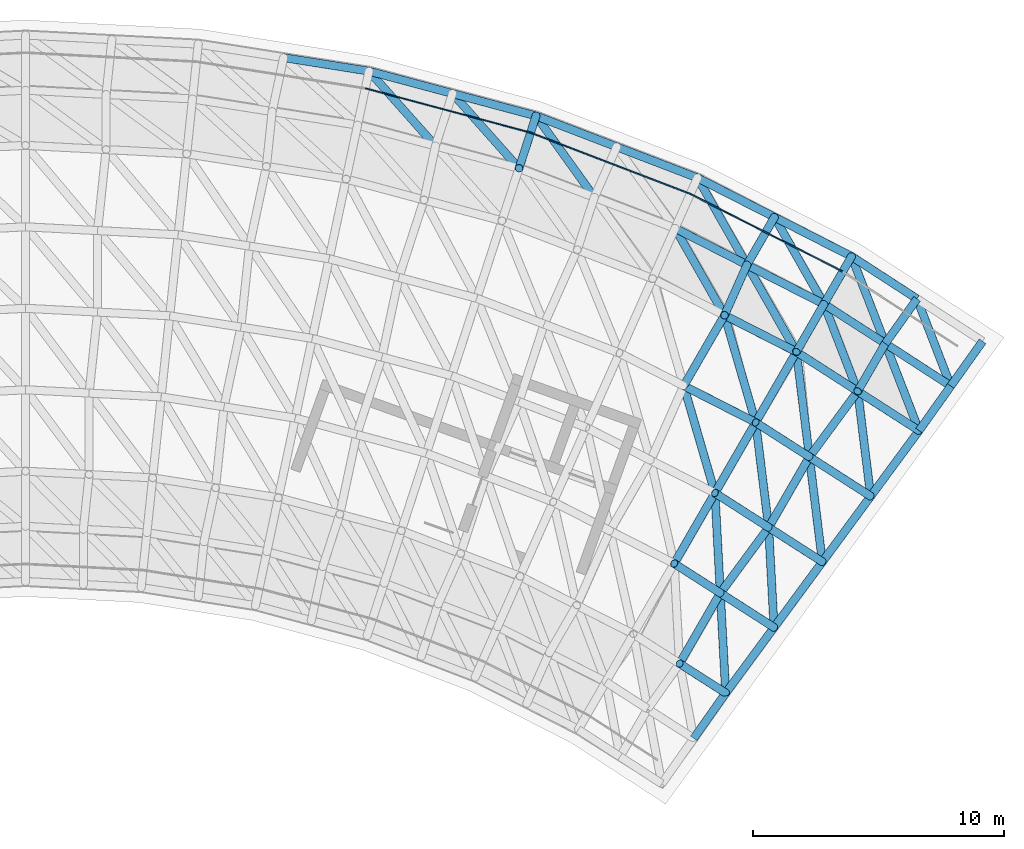
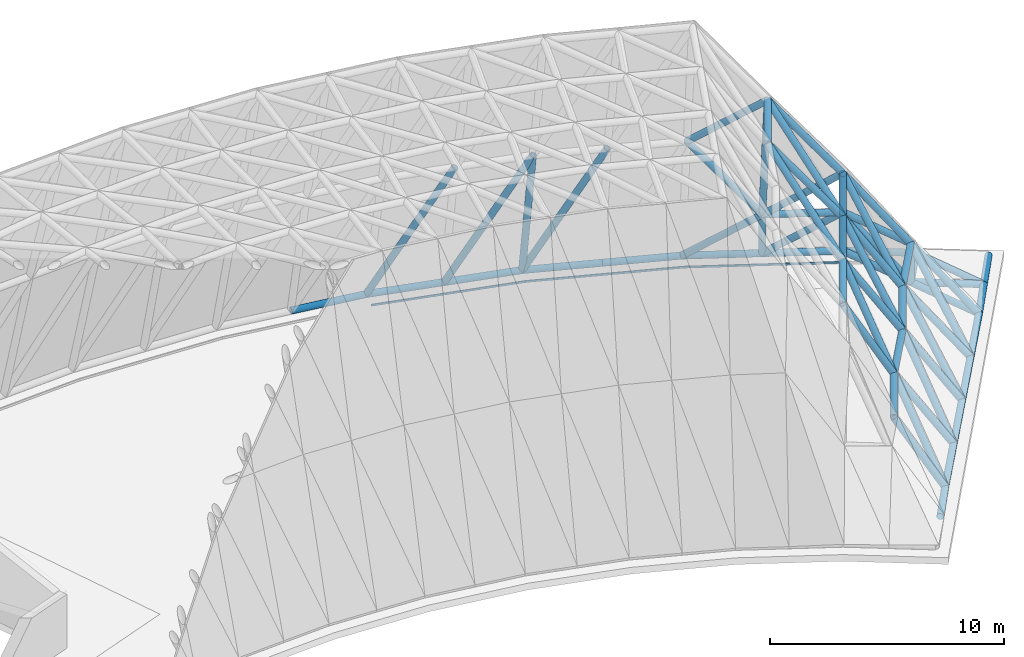
# One storey, part 10 of 20: 68 members.
"""IFC4 building model written with IfcOpenShell, lengths in metres."""

from ifc_helpers import new_model, si_unit, direction, frame, origin, origin_2d, place, context, subcontext, project, spatial, rectangle, hollow_circle, extrude, material, material_profile, profile_set, type_object, element, save


model = new_model("IFC4")

# Units and contexts
model_context = context("Model", 3, precision=1e-05, world=origin(), true_north=direction((0.0, 1.0)))
body_context = subcontext(model_context, "Body", "Model", "MODEL_VIEW")
ifc_project = project(units=[si_unit("LENGTHUNIT", "METRE"), si_unit("AREAUNIT", "SQUARE_METRE"), si_unit("VOLUMEUNIT", "CUBIC_METRE"), si_unit("PLANEANGLEUNIT", "RADIAN"), si_unit("MASSUNIT", "GRAM", prefix="KILO")], contexts=[model_context])

# Site, building, storey
site_placement = place(None, origin())
site = spatial("IfcSite", under=ifc_project, at=site_placement, CompositionType="ELEMENT")
building_placement = place(site_placement, origin())
building = spatial("IfcBuilding", under=site, at=building_placement, Name="Stone Belt Terrace Tower", CompositionType="ELEMENT")
storey_placement = place(building_placement, frame((0.0, 0.0, 337.39990234375)))
storey = spatial("IfcBuildingStorey", under=building, at=storey_placement, Name="RF", CompositionType="ELEMENT", Elevation=337.39990234375)

# Members
ifc_material_1 = material(Name="Structural steel C345", Category="steel")
ifc_material_profile_1 = material_profile(ifc_material_1, hollow_circle(Radius=0.16259765625, WallThickness=0.011962890625, at=origin_2d()), Name="Structural steel C345 CHS 325x12")
ifc_profile_set_1 = profile_set([ifc_material_profile_1], Name="Structural steel C345")
member_type_1 = type_object("IfcMemberType", Name="Crown frame tube CHS 325 x 12", PredefinedType="RAFTER", material=ifc_profile_set_1)
member_1_placement = place(storey_placement, frame((13.701171875, 64.459228515625, 0.16259765625), z_axis=(0.312086060245, -0.351280000598, 0.882725694755), x_axis=(0.747581362269, 0.664170239313, 0.0)))
element("IfcMember", 1, at=member_1_placement, inside=storey, type_object=member_type_1, Name="CROWN FRAME rafter 384", PredefinedType="RAFTER", context=body_context, shape_type="SweptSolid", body=[
    extrude(hollow_circle(Radius=0.16259765625, WallThickness=0.011962890625, at=origin_2d()), origin(), (0.0, 0.0, 1.0), 8.496337890625),
])
member_2_placement = place(storey_placement, frame((17.032470703125, 63.56640625, 0.16259765625), z_axis=(0.312111995776, -0.351276850337, 0.882717778517), x_axis=(0.747550999525, 0.664204413648, 0.0)))
element("IfcMember", 2, at=member_2_placement, inside=storey, type_object=member_type_1, Name="CROWN FRAME rafter 428", PredefinedType="RAFTER", context=body_context, shape_type="SweptSolid", body=[
    extrude(hollow_circle(Radius=0.16259765625, WallThickness=0.011962890625, at=origin_2d()), origin(), (0.0, 0.0, 1.0), 8.49658203125),
])
member_3_placement = place(storey_placement, frame((20.364013671875, 62.673828125, 0.16259765625), z_axis=(-0.086961927799, -0.267664065845, 0.959579892958), x_axis=(0.951064242649, -0.30899321409, 0.0)))
element("IfcMember", 3, at=member_3_placement, inside=storey, type_object=member_type_1, Name="CROWN FRAME rafter 432", PredefinedType="RAFTER", context=body_context, shape_type="SweptSolid", body=[
    extrude(hollow_circle(Radius=0.16259765625, WallThickness=0.011962890625, at=origin_2d()), origin(), (0.0, 0.0, 1.0), 7.81591796875),
])
member_4_placement = place(storey_placement, frame((20.364013671875, 62.673828125, 0.16259765625), z_axis=(0.273668124866, -0.381968750928, 0.882726249042), x_axis=(0.812893849535, 0.582411872637, 0.0)))
element("IfcMember", 4, at=member_4_placement, inside=storey, type_object=member_type_1, Name="CROWN FRAME rafter 434", PredefinedType="RAFTER", context=body_context, shape_type="SweptSolid", body=[
    extrude(hollow_circle(Radius=0.16259765625, WallThickness=0.011962890625, at=origin_2d()), origin(), (0.0, 0.0, 1.0), 8.496337890625),
])
member_5_placement = place(storey_placement, frame((26.8037109375, 60.201904296875, 0.16259765625), z_axis=(0.368928687111, -0.648934696359, 0.665413693643), x_axis=(0.86933236407, 0.494227923918, 0.0)))
element("IfcMember", 5, at=member_5_placement, inside=storey, type_object=member_type_1, Name="CROWN FRAME rafter 484", PredefinedType="RAFTER", context=body_context, shape_type="SweptSolid", body=[
    extrude(hollow_circle(Radius=0.16259765625, WallThickness=0.011962890625, at=origin_2d()), origin(), (0.0, 0.0, 1.0), 5.348388671875),
])
member_6_placement = place(storey_placement, frame((25.908935546875, 58.1923828125, 7.66259765625), z_axis=(0.563608741134, -0.287154023639, -0.774524211129), x_axis=(0.453966686315, 0.891018657333, 0.0)))
element("IfcMember", 6, at=member_6_placement, inside=storey, type_object=member_type_1, Name="CROWN FRAME rafter 486", PredefinedType="RAFTER", context=body_context, shape_type="SweptSolid", body=[
    extrude(hollow_circle(Radius=0.16259765625, WallThickness=0.011962890625, at=origin_2d()), origin(), (0.0, 0.0, 1.0), 5.08837890625),
])
member_7_placement = place(storey_placement, frame((25.908935546875, 58.1923828125, 7.66259765625), z_axis=(0.368968121206, -0.648923767297, 0.665402487049), x_axis=(0.869306089916, 0.494274136522, 0.0)))
element("IfcMember", 7, at=member_7_placement, inside=storey, type_object=member_type_1, Name="CROWN FRAME rafter 487", PredefinedType="RAFTER", context=body_context, shape_type="SweptSolid", body=[
    extrude(hollow_circle(Radius=0.16259765625, WallThickness=0.011962890625, at=origin_2d()), origin(), (0.0, 0.0, 1.0), 5.348388671875),
])
member_8_placement = place(storey_placement, frame((29.876708984375, 58.635986328125, 0.16259765625), z_axis=(-0.262891157464, -0.455288970152, 0.85064692616), x_axis=(0.866000736692, -0.500042722224, 0.0)))
element("IfcMember", 8, at=member_8_placement, inside=storey, type_object=member_type_1, Name="CROWN FRAME rafter 526", PredefinedType="RAFTER", context=body_context, shape_type="SweptSolid", body=[
    extrude(hollow_circle(Radius=0.16259765625, WallThickness=0.011962890625, at=origin_2d()), origin(), (0.0, 0.0, 1.0), 4.18359375),
])
for number, where, z_axis, x_axis, name in (
    (9, (29.876708984375, 58.635986328125, 0.16259765625), (0.368928687111, -0.648934696359, 0.665413693643), (0.86933236407, 0.494227923918, 0.0), "CROWN FRAME rafter 528"),
    (10, (28.77685546875, 56.731201171875, 3.721435546875), (0.368968121206, -0.648923767297, 0.665402487049), (0.869306089916, 0.494274136522, 0.0), "CROWN FRAME rafter 530"),
):
    element("IfcMember", number, at=place(storey_placement, frame(where, z_axis=z_axis, x_axis=x_axis)), inside=storey, type_object=member_type_1, Name=name, PredefinedType="RAFTER", context=body_context, shape_type="SweptSolid", body=[
        extrude(hollow_circle(Radius=0.16259765625, WallThickness=0.011962890625, at=origin_2d()), origin(), (0.0, 0.0, 1.0), 5.348388671875),
    ])
member_9_placement = place(storey_placement, frame((28.77685546875, 56.731201171875, 3.721435546875), z_axis=(-0.114450125757, -0.257106709908, 0.959581840405), x_axis=(0.913573388708, -0.406673903077, 0.0)))
element("IfcMember", 11, at=member_9_placement, inside=storey, type_object=member_type_1, Name="CROWN FRAME rafter 531", PredefinedType="RAFTER", context=body_context, shape_type="SweptSolid", body=[
    extrude(hollow_circle(Radius=0.16259765625, WallThickness=0.011962890625, at=origin_2d()), origin(), (0.0, 0.0, 1.0), 7.81591796875),
])
member_10_placement = place(storey_placement, frame((32.94970703125, 57.0703125, 0.16259765625), z_axis=(-0.26288417265, -0.455335227345, 0.850624325133), x_axis=(0.866028486751, -0.499994660107, 0.0)))
element("IfcMember", 12, at=member_10_placement, inside=storey, type_object=member_type_1, Name="CROWN FRAME rafter 532", PredefinedType="RAFTER", context=body_context, shape_type="SweptSolid", body=[
    extrude(hollow_circle(Radius=0.16259765625, WallThickness=0.011962890625, at=origin_2d()), origin(), (0.0, 0.0, 1.0), 4.183837890625),
])
member_11_placement = place(storey_placement, frame((31.849853515625, 55.165283203125, 3.721435546875), z_axis=(-0.262836833842, -0.455295954181, 0.850659974891), x_axis=(0.866048801325, -0.49995947208, 0.0)))
element("IfcMember", 13, at=member_11_placement, inside=storey, type_object=member_type_1, Name="CROWN FRAME rafter 535", PredefinedType="RAFTER", context=body_context, shape_type="SweptSolid", body=[
    extrude(hollow_circle(Radius=0.16259765625, WallThickness=0.011962890625, at=origin_2d()), origin(), (0.0, 0.0, 1.0), 4.18359375),
])
member_12_placement = place(storey_placement, frame((31.849853515625, 55.165283203125, 3.721435546875), z_axis=(0.532275745532, -0.341797751148, -0.774504246618), x_axis=(0.540333004351, 0.841451272748, 0.0)))
element("IfcMember", 14, at=member_12_placement, inside=storey, type_object=member_type_1, Name="CROWN FRAME rafter 536", PredefinedType="RAFTER", context=body_context, shape_type="SweptSolid", body=[
    extrude(hollow_circle(Radius=0.16259765625, WallThickness=0.011962890625, at=origin_2d()), origin(), (0.0, 0.0, 1.0), 4.594970703125),
])
member_13_placement = place(storey_placement, frame((30.750244140625, 53.260498046875, 7.2802734375), z_axis=(-0.563608741134, 0.287154023639, 0.774524211129), x_axis=(-0.453966686315, -0.891018657333, 0.0)))
element("IfcMember", 15, at=member_13_placement, inside=storey, type_object=member_type_1, Name="CROWN FRAME rafter 538", PredefinedType="RAFTER", context=body_context, shape_type="SweptSolid", body=[
    extrude(hollow_circle(Radius=0.16259765625, WallThickness=0.011962890625, at=origin_2d()), origin(), (0.0, 0.0, 1.0), 5.08837890625),
])
member_14_placement = place(storey_placement, frame((30.750244140625, 53.260498046875, 7.2802734375), z_axis=(0.532227998514, -0.341854341863, -0.774512082893), x_axis=(0.54043066328, 0.841388553634, 0.0)))
element("IfcMember", 16, at=member_14_placement, inside=storey, type_object=member_type_1, Name="CROWN FRAME rafter 540", PredefinedType="RAFTER", context=body_context, shape_type="SweptSolid", body=[
    extrude(hollow_circle(Radius=0.16259765625, WallThickness=0.011962890625, at=origin_2d()), origin(), (0.0, 0.0, 1.0), 4.594970703125),
])
member_15_placement = place(storey_placement, frame((30.750244140625, 53.260498046875, 7.2802734375), z_axis=(0.09376412964, -0.758649111184, -0.644716847999), x_axis=(0.992448720487, 0.122660251118, 0.0)))
element("IfcMember", 17, at=member_15_placement, inside=storey, type_object=member_type_1, Name="CROWN FRAME rafter 541", PredefinedType="RAFTER", context=body_context, shape_type="SweptSolid", body=[
    extrude(hollow_circle(Radius=0.16259765625, WallThickness=0.011962890625, at=origin_2d()), origin(), (0.0, 0.0, 1.0), 5.52001953125),
])
member_16_placement = place(storey_placement, frame((27.88232421875, 54.7216796875, 11.221435546875), z_axis=(0.208984296612, -0.719045576928, -0.662796365463), x_axis=(0.96026425375, 0.279092391457, 0.0)))
element("IfcMember", 18, at=member_16_placement, inside=storey, type_object=member_type_1, Name="CROWN FRAME rafter 543", PredefinedType="RAFTER", context=body_context, shape_type="SweptSolid", body=[
    extrude(hollow_circle(Radius=0.16259765625, WallThickness=0.011962890625, at=origin_2d()), origin(), (0.0, 0.0, 1.0), 5.9462890625),
])
member_17_placement = place(storey_placement, frame((26.257080078125, 51.9072265625, 11.221435546875), z_axis=(0.563608741134, -0.287154023639, -0.774524211129), x_axis=(0.453966686315, 0.891018657333, 0.0)))
element("IfcMember", 19, at=member_17_placement, inside=storey, type_object=member_type_1, Name="CROWN FRAME rafter 544", PredefinedType="RAFTER", context=body_context, shape_type="SweptSolid", body=[
    extrude(hollow_circle(Radius=0.16259765625, WallThickness=0.011962890625, at=origin_2d()), origin(), (0.0, 0.0, 1.0), 5.08837890625),
])
member_18_placement = place(storey_placement, frame((26.257080078125, 51.9072265625, 11.221435546875), z_axis=(0.209017390065, -0.719059235827, -0.662771111337), x_axis=(0.960253829777, 0.27912825439, 0.0)))
element("IfcMember", 20, at=member_18_placement, inside=storey, type_object=member_type_1, Name="CROWN FRAME rafter 545", PredefinedType="RAFTER", context=body_context, shape_type="SweptSolid", body=[
    extrude(hollow_circle(Radius=0.16259765625, WallThickness=0.011962890625, at=origin_2d()), origin(), (0.0, 0.0, 1.0), 5.946533203125),
])
member_19_placement = place(storey_placement, frame((29.125, 50.446044921875, 7.2802734375), z_axis=(0.489758296584, -0.313876087306, -0.813399417718), x_axis=(0.539578947785, 0.841935008838, 0.0)))
element("IfcMember", 21, at=member_19_placement, inside=storey, type_object=member_type_1, Name="CROWN FRAME rafter 548", PredefinedType="RAFTER", context=body_context, shape_type="SweptSolid", body=[
    extrude(hollow_circle(Radius=0.16259765625, WallThickness=0.011962890625, at=origin_2d()), origin(), (0.0, 0.0, 1.0), 4.375244140625),
])
member_20_placement = place(storey_placement, frame((29.125, 50.446044921875, 7.2802734375), z_axis=(0.093807968887, -0.758645964317, -0.644714173722), x_axis=(0.99244167554, 0.122717238607, 0.0)))
element("IfcMember", 22, at=member_20_placement, inside=storey, type_object=member_type_1, Name="CROWN FRAME rafter 549", PredefinedType="RAFTER", context=body_context, shape_type="SweptSolid", body=[
    extrude(hollow_circle(Radius=0.16259765625, WallThickness=0.011962890625, at=origin_2d()), origin(), (0.0, 0.0, 1.0), 5.52001953125),
])
member_21_placement = place(storey_placement, frame((27.5, 47.63134765625, 7.2802734375), z_axis=(0.489766873844, -0.313825783126, -0.813413662985), x_axis=(0.539510945529, 0.841978586221, 0.0)))
element("IfcMember", 23, at=member_21_placement, inside=storey, type_object=member_type_1, Name="CROWN FRAME rafter 552", PredefinedType="RAFTER", context=body_context, shape_type="SweptSolid", body=[
    extrude(hollow_circle(Radius=0.16259765625, WallThickness=0.011962890625, at=origin_2d()), origin(), (0.0, 0.0, 1.0), 4.375244140625),
])
member_22_placement = place(storey_placement, frame((27.5, 47.63134765625, 7.2802734375), z_axis=(0.040104475645, -0.74569687137, -0.665077294051), x_axis=(0.99855692078, 0.053703593574, 0.0)))
element("IfcMember", 24, at=member_22_placement, inside=storey, type_object=member_type_1, Name="CROWN FRAME rafter 553", PredefinedType="RAFTER", context=body_context, shape_type="SweptSolid", body=[
    extrude(hollow_circle(Radius=0.16259765625, WallThickness=0.011962890625, at=origin_2d()), origin(), (0.0, 0.0, 1.0), 5.35107421875),
])
member_23_placement = place(storey_placement, frame((25.875, 44.81689453125, 7.2802734375), z_axis=(0.440606352018, -0.281613827647, -0.852384710468), x_axis=(0.538545883114, 0.842596185478, 0.0)))
element("IfcMember", 25, at=member_23_placement, inside=storey, type_object=member_type_1, Name="CROWN FRAME rafter 560", PredefinedType="RAFTER", context=body_context, shape_type="SweptSolid", body=[
    extrude(hollow_circle(Radius=0.16259765625, WallThickness=0.011962890625, at=origin_2d()), origin(), (0.0, 0.0, 1.0), 4.175048828125),
])
member_24_placement = place(storey_placement, frame((34.295654296875, 53.5947265625, 0.16259765625), z_axis=(-0.26288417265, -0.455335227345, 0.850624325133), x_axis=(0.866028486751, -0.499994660107, 0.0)))
element("IfcMember", 26, at=member_24_placement, inside=storey, type_object=member_type_1, Name="CROWN FRAME rafter 581", PredefinedType="RAFTER", context=body_context, shape_type="SweptSolid", body=[
    extrude(hollow_circle(Radius=0.16259765625, WallThickness=0.011962890625, at=origin_2d()), origin(), (0.0, 0.0, 1.0), 4.183837890625),
])
member_25_placement = place(storey_placement, frame((35.6416015625, 50.119140625, 0.16259765625), z_axis=(-0.532275745532, 0.341797751148, 0.774504246618), x_axis=(-0.540333004351, -0.841451272748, 0.0)))
element("IfcMember", 27, at=member_25_placement, inside=storey, type_object=member_type_1, Name="CROWN FRAME rafter 584", PredefinedType="RAFTER", context=body_context, shape_type="SweptSolid", body=[
    extrude(hollow_circle(Radius=0.16259765625, WallThickness=0.011962890625, at=origin_2d()), origin(), (0.0, 0.0, 1.0), 4.594970703125),
])
member_26_placement = place(storey_placement, frame((33.19580078125, 51.689697265625, 3.721435546875), z_axis=(0.093807968887, -0.758645964317, -0.644714173722), x_axis=(0.99244167554, 0.122717238607, 0.0)))
element("IfcMember", 28, at=member_26_placement, inside=storey, type_object=member_type_1, Name="CROWN FRAME rafter 587", PredefinedType="RAFTER", context=body_context, shape_type="SweptSolid", body=[
    extrude(hollow_circle(Radius=0.16259765625, WallThickness=0.011962890625, at=origin_2d()), origin(), (0.0, 0.0, 1.0), 5.52001953125),
])
member_27_placement = place(storey_placement, frame((31.267822265625, 49.07275390625, 3.721435546875), z_axis=(0.532266078716, -0.341844674631, -0.774490180619), x_axis=(0.540392471391, 0.841413083369, 0.0)))
element("IfcMember", 29, at=member_27_placement, inside=storey, type_object=member_type_1, Name="CROWN FRAME rafter 588", PredefinedType="RAFTER", context=body_context, shape_type="SweptSolid", body=[
    extrude(hollow_circle(Radius=0.16259765625, WallThickness=0.011962890625, at=origin_2d()), origin(), (0.0, 0.0, 1.0), 4.594970703125),
])
member_28_placement = place(storey_placement, frame((31.267822265625, 49.07275390625, 3.721435546875), z_axis=(0.09376412964, -0.758649111184, -0.644716847999), x_axis=(0.992448720487, 0.122660251118, 0.0)))
element("IfcMember", 30, at=member_28_placement, inside=storey, type_object=member_type_1, Name="CROWN FRAME rafter 589", PredefinedType="RAFTER", context=body_context, shape_type="SweptSolid", body=[
    extrude(hollow_circle(Radius=0.16259765625, WallThickness=0.011962890625, at=origin_2d()), origin(), (0.0, 0.0, 1.0), 5.52001953125),
])
member_29_placement = place(storey_placement, frame((31.785400390625, 44.885009765625, 0.16259765625), z_axis=(-0.489715879065, 0.313884664966, 0.813421646436), x_axis=(-0.539622528456, -0.841907077285, 0.0)))
element("IfcMember", 31, at=member_29_placement, inside=storey, type_object=member_type_1, Name="CROWN FRAME rafter 592", PredefinedType="RAFTER", context=body_context, shape_type="SweptSolid", body=[
    extrude(hollow_circle(Radius=0.16259765625, WallThickness=0.011962890625, at=origin_2d()), origin(), (0.0, 0.0, 1.0), 4.375244140625),
])
member_30_placement = place(storey_placement, frame((29.642822265625, 46.25830078125, 3.721435546875), z_axis=(0.040104475645, -0.74569687137, -0.665077294051), x_axis=(0.99855692078, 0.053703593574, 0.0)))
element("IfcMember", 32, at=member_30_placement, inside=storey, type_object=member_type_1, Name="CROWN FRAME rafter 595", PredefinedType="RAFTER", context=body_context, shape_type="SweptSolid", body=[
    extrude(hollow_circle(Radius=0.16259765625, WallThickness=0.011962890625, at=origin_2d()), origin(), (0.0, 0.0, 1.0), 5.35107421875),
])
member_31_placement = place(storey_placement, frame((27.714599609375, 43.64111328125, 3.721435546875), z_axis=(0.489766873844, -0.313825783126, -0.813413662985), x_axis=(0.539510945529, 0.841978586221, 0.0)))
element("IfcMember", 33, at=member_31_placement, inside=storey, type_object=member_type_1, Name="CROWN FRAME rafter 596", PredefinedType="RAFTER", context=body_context, shape_type="SweptSolid", body=[
    extrude(hollow_circle(Radius=0.16259765625, WallThickness=0.011962890625, at=origin_2d()), origin(), (0.0, 0.0, 1.0), 4.375244140625),
])
member_32_placement = place(storey_placement, frame((27.714599609375, 43.64111328125, 3.721435546875), z_axis=(0.040151393279, -0.745675250415, -0.665098704356), x_axis=(0.998553465958, 0.053767793553, 0.0)))
element("IfcMember", 34, at=member_32_placement, inside=storey, type_object=member_type_1, Name="CROWN FRAME rafter 597", PredefinedType="RAFTER", context=body_context, shape_type="SweptSolid", body=[
    extrude(hollow_circle(Radius=0.16259765625, WallThickness=0.011962890625, at=origin_2d()), origin(), (0.0, 0.0, 1.0), 5.350830078125),
])
member_33_placement = place(storey_placement, frame((27.929443359375, 39.651123046875, 0.16259765625), z_axis=(-0.440660728327, 0.281552734461, 0.852376783018), x_axis=(-0.538415746129, -0.842679348459, 0.0)))
element("IfcMember", 35, at=member_33_placement, inside=storey, type_object=member_type_1, Name="CROWN FRAME rafter 600", PredefinedType="RAFTER", context=body_context, shape_type="SweptSolid", body=[
    extrude(hollow_circle(Radius=0.16259765625, WallThickness=0.011962890625, at=origin_2d()), origin(), (0.0, 0.0, 1.0), 4.17529296875),
])
ifc_material_profile_2 = material_profile(ifc_material_1, hollow_circle(Radius=0.16259765625, WallThickness=0.011962890625, at=origin_2d()), Name="Structural steel C345 CHS 325x12")
ifc_profile_set_2 = profile_set([ifc_material_profile_2], Name="Structural steel C345")
member_type_2 = type_object("IfcMemberType", Name="Crown ring and ridge tube CHS 325 x 12", PredefinedType="CHORD", material=ifc_profile_set_2)
for number, where, z_axis, x_axis, name in (
    (36, (10.294677734375, 64.99853515625, 0.16259765625), (0.987698598685, -0.156369684261, 0.0), (0.156369684261, 0.987698598685, 0.0), "CROWN FRAME ring beam 377"),
    (37, (13.701171875, 64.459228515625, 0.16259765625), (0.96591107822, -0.258874079373, 0.0), (0.258874079373, 0.96591107822, 0.0), "CROWN FRAME ring beam 383"),
    (38, (17.032470703125, 63.56640625, 0.16259765625), (0.965933518078, -0.258790337249, 0.0), (0.258790337249, 0.965933518078, 0.0), "CROWN FRAME ring beam 427"),
):
    element("IfcMember", number, at=place(storey_placement, frame(where, z_axis=z_axis, x_axis=x_axis)), inside=storey, type_object=member_type_2, Name=name, PredefinedType="CHORD", context=body_context, shape_type="SweptSolid", body=[
        extrude(hollow_circle(Radius=0.16259765625, WallThickness=0.011962890625, at=origin_2d()), origin(), (0.0, 0.0, 1.0), 3.448974609375),
    ])
member_34_placement = place(storey_placement, frame((20.364013671875, 62.673828125, 0.16259765625), z_axis=(0.933589873646, -0.358343337913, 0.0), x_axis=(0.358343337913, 0.933589873646, 0.0)))
element("IfcMember", 39, at=member_34_placement, inside=storey, type_object=member_type_2, Name="CROWN FRAME ring beam 433", PredefinedType="CHORD", context=body_context, shape_type="SweptSolid", body=[
    extrude(hollow_circle(Radius=0.16259765625, WallThickness=0.011962890625, at=origin_2d()), origin(), (0.0, 0.0, 1.0), 3.44873046875),
])
for number, where, z_axis, x_axis, name in (
    (40, (23.583740234375, 61.43798828125, 0.16259765625), (0.933575281678, -0.35838135197, 0.0), (0.35838135197, 0.933575281678, 0.0), "CROWN FRAME ring beam 477"),
    (41, (26.8037109375, 60.201904296875, 0.16259765625), (0.890989252618, -0.454024395511, 0.0), (0.454024395511, 0.890989252618, 0.0), "CROWN FRAME ring beam 483"),
    (42, (29.876708984375, 58.635986328125, 0.16259765625), (0.891017887076, -0.453968198127, 0.0), (0.453968198127, 0.891017887076, 0.0), "CROWN FRAME ring beam 527"),
    (43, (28.77685546875, 56.731201171875, 3.721435546875), (0.890989252618, -0.454024395511, 0.0), (0.454024395511, 0.890989252618, 0.0), "CROWN FRAME cap beam 529"),
):
    element("IfcMember", number, at=place(storey_placement, frame(where, z_axis=z_axis, x_axis=x_axis)), inside=storey, type_object=member_type_2, Name=name, PredefinedType="CHORD", context=body_context, shape_type="SweptSolid", body=[
        extrude(hollow_circle(Radius=0.16259765625, WallThickness=0.011962890625, at=origin_2d()), origin(), (0.0, 0.0, 1.0), 3.448974609375),
    ])
member_35_placement = place(storey_placement, frame((32.94970703125, 57.0703125, 0.16259765625), z_axis=(0.838968058866, -0.54418066504, 0.0), x_axis=(0.54418066504, 0.838968058866, 0.0)))
element("IfcMember", 44, at=member_35_placement, inside=storey, type_object=member_type_2, Name="CROWN FRAME ring beam 533", PredefinedType="CHORD", context=body_context, shape_type="SweptSolid", body=[
    extrude(hollow_circle(Radius=0.16259765625, WallThickness=0.011962890625, at=origin_2d()), origin(), (0.0, 0.0, 1.0), 3.114013671875),
])
for number, where, z_axis, x_axis, name in (
    (45, (32.94970703125, 57.0703125, 0.16259765625), (0.361124573877, -0.932517582752, 0.0), (0.932517582752, 0.361124573877, 0.0), "CROWN FRAME ring beam 534"),
    (46, (31.849853515625, 55.165283203125, 3.721435546875), (0.361124573877, -0.932517582752, 0.0), (0.932517582752, 0.361124573877, 0.0), "CROWN FRAME cap beam 537"),
):
    element("IfcMember", number, at=place(storey_placement, frame(where, z_axis=z_axis, x_axis=x_axis)), inside=storey, type_object=member_type_2, Name=name, PredefinedType="CHORD", context=body_context, shape_type="SweptSolid", body=[
        extrude(hollow_circle(Radius=0.16259765625, WallThickness=0.011962890625, at=origin_2d()), origin(), (0.0, 0.0, 1.0), 3.72705078125),
    ])
for number, where, z_axis, x_axis, name in (
    (47, (30.750244140625, 53.260498046875, 7.2802734375), (-0.50007358365, -0.865982916076, 0.0), (0.865982916076, -0.50007358365, 0.0), "CROWN FRAME cap beam 539"),
    (48, (27.88232421875, 54.7216796875, 11.221435546875), (-0.50007358365, -0.865982916076, 0.0), (0.865982916076, -0.50007358365, 0.0), "CROWN FRAME cap beam 542"),
    (49, (29.125, 50.446044921875, 7.2802734375), (-0.499984717929, -0.866034226713, 0.0), (0.866034226713, -0.499984717929, 0.0), "CROWN FRAME cap beam 547"),
    (50, (27.5, 47.63134765625, 7.2802734375), (-0.500017246033, -0.866015446554, 0.0), (0.866015446554, -0.500017246033, 0.0), "CROWN FRAME cap beam 551"),
):
    element("IfcMember", number, at=place(storey_placement, frame(where, z_axis=z_axis, x_axis=x_axis)), inside=storey, type_object=member_type_2, Name=name, PredefinedType="CHORD", context=body_context, shape_type="SweptSolid", body=[
        extrude(hollow_circle(Radius=0.16259765625, WallThickness=0.011962890625, at=origin_2d()), origin(), (0.0, 0.0, 1.0), 3.25),
    ])
member_36_placement = place(storey_placement, frame((35.562255859375, 55.375732421875, 0.16259765625), z_axis=(-0.579556760604, -0.814931875213, 0.0), x_axis=(0.814931875213, -0.579556760604, 0.0)))
element("IfcMember", 51, at=member_36_placement, inside=storey, type_object=member_type_2, Name="CROWN FRAME ring beam 576", PredefinedType="CHORD", context=body_context, shape_type="SweptSolid", body=[
    extrude(hollow_circle(Radius=0.16259765625, WallThickness=0.011962890625, at=origin_2d()), origin(), (0.0, 0.0, 1.0), 2.185546875),
])
member_37_placement = place(storey_placement, frame((35.562255859375, 55.375732421875, 0.16259765625), z_axis=(0.361124573877, -0.932517582752, 0.0), x_axis=(0.932517582752, 0.361124573877, 0.0)))
element("IfcMember", 52, at=member_37_placement, inside=storey, type_object=member_type_2, Name="CROWN FRAME ring beam 578", PredefinedType="CHORD", context=body_context, shape_type="SweptSolid", body=[
    extrude(hollow_circle(Radius=0.16259765625, WallThickness=0.011962890625, at=origin_2d()), origin(), (0.0, 0.0, 1.0), 3.72705078125),
])
member_38_placement = place(storey_placement, frame((34.295654296875, 53.5947265625, 0.16259765625), z_axis=(0.838968058866, -0.54418066504, 0.0), x_axis=(0.54418066504, 0.838968058866, 0.0)))
element("IfcMember", 53, at=member_38_placement, inside=storey, type_object=member_type_2, Name="CROWN FRAME ring beam 579", PredefinedType="CHORD", context=body_context, shape_type="SweptSolid", body=[
    extrude(hollow_circle(Radius=0.16259765625, WallThickness=0.011962890625, at=origin_2d()), origin(), (0.0, 0.0, 1.0), 3.114013671875),
])
member_39_placement = place(storey_placement, frame((34.295654296875, 53.5947265625, 0.16259765625), z_axis=(0.361124573877, -0.932517582752, 0.0), x_axis=(0.932517582752, 0.361124573877, 0.0)))
element("IfcMember", 54, at=member_39_placement, inside=storey, type_object=member_type_2, Name="CROWN FRAME ring beam 580", PredefinedType="CHORD", context=body_context, shape_type="SweptSolid", body=[
    extrude(hollow_circle(Radius=0.16259765625, WallThickness=0.011962890625, at=origin_2d()), origin(), (0.0, 0.0, 1.0), 3.72705078125),
])
member_40_placement = place(storey_placement, frame((38.1748046875, 53.680908203125, 0.16259765625), z_axis=(-0.579609525226, -0.814894347917, 0.0), x_axis=(0.814894347917, -0.579609525226, 0.0)))
element("IfcMember", 55, at=member_40_placement, inside=storey, type_object=member_type_2, Name="CROWN FRAME ring beam 582", PredefinedType="CHORD", context=body_context, shape_type="SweptSolid", body=[
    extrude(hollow_circle(Radius=0.16259765625, WallThickness=0.011962890625, at=origin_2d()), origin(), (0.0, 0.0, 1.0), 2.185302734375),
])
member_41_placement = place(storey_placement, frame((36.908203125, 51.900146484375, 0.16259765625), z_axis=(-0.579556760604, -0.814931875213, 0.0), x_axis=(0.814931875213, -0.579556760604, 0.0)))
element("IfcMember", 56, at=member_41_placement, inside=storey, type_object=member_type_2, Name="CROWN FRAME ring beam 583", PredefinedType="CHORD", context=body_context, shape_type="SweptSolid", body=[
    extrude(hollow_circle(Radius=0.16259765625, WallThickness=0.011962890625, at=origin_2d()), origin(), (0.0, 0.0, 1.0), 2.185546875),
])
member_42_placement = place(storey_placement, frame((35.6416015625, 50.119140625, 0.16259765625), z_axis=(-0.593104242519, -0.805125678081, 0.0), x_axis=(0.805125678081, -0.593104242519, 0.0)))
element("IfcMember", 57, at=member_42_placement, inside=storey, type_object=member_type_2, Name="CROWN FRAME ring beam 585", PredefinedType="CHORD", context=body_context, shape_type="SweptSolid", body=[
    extrude(hollow_circle(Radius=0.16259765625, WallThickness=0.011962890625, at=origin_2d()), origin(), (0.0, 0.0, 1.0), 3.250732421875),
])
member_43_placement = place(storey_placement, frame((33.19580078125, 51.689697265625, 3.721435546875), z_axis=(-0.593140108502, -0.805099255798, 0.0), x_axis=(0.805099255798, -0.593140108502, 0.0)))
element("IfcMember", 58, at=member_43_placement, inside=storey, type_object=member_type_2, Name="CROWN FRAME cap beam 586", PredefinedType="CHORD", context=body_context, shape_type="SweptSolid", body=[
    extrude(hollow_circle(Radius=0.16259765625, WallThickness=0.011962890625, at=origin_2d()), origin(), (0.0, 0.0, 1.0), 3.25048828125),
])
member_44_placement = place(storey_placement, frame((31.267822265625, 49.07275390625, 3.721435546875), z_axis=(-0.500017246033, -0.866015446554, 0.0), x_axis=(0.866015446554, -0.500017246033, 0.0)))
element("IfcMember", 59, at=member_44_placement, inside=storey, type_object=member_type_2, Name="CROWN FRAME cap beam 590", PredefinedType="CHORD", context=body_context, shape_type="SweptSolid", body=[
    extrude(hollow_circle(Radius=0.16259765625, WallThickness=0.011962890625, at=origin_2d()), origin(), (0.0, 0.0, 1.0), 3.25),
])
for number, where, z_axis, x_axis, name in (
    (60, (33.713623046875, 47.501953125, 0.16259765625), (-0.593188790118, -0.805063388361, 0.0), (0.805063388361, -0.593188790118, 0.0), "CROWN FRAME ring beam 591"),
    (61, (31.785400390625, 44.885009765625, 0.16259765625), (-0.593140108502, -0.805099255798, 0.0), (0.805099255798, -0.593140108502, 0.0), "CROWN FRAME ring beam 593"),
):
    element("IfcMember", number, at=place(storey_placement, frame(where, z_axis=z_axis, x_axis=x_axis)), inside=storey, type_object=member_type_2, Name=name, PredefinedType="CHORD", context=body_context, shape_type="SweptSolid", body=[
        extrude(hollow_circle(Radius=0.16259765625, WallThickness=0.011962890625, at=origin_2d()), origin(), (0.0, 0.0, 1.0), 3.25048828125),
    ])
member_45_placement = place(storey_placement, frame((29.642822265625, 46.25830078125, 3.721435546875), z_axis=(-0.593152924387, -0.805089813804, 0.0), x_axis=(0.805089813804, -0.593152924387, 0.0)))
element("IfcMember", 62, at=member_45_placement, inside=storey, type_object=member_type_2, Name="CROWN FRAME cap beam 594", PredefinedType="CHORD", context=body_context, shape_type="SweptSolid", body=[
    extrude(hollow_circle(Radius=0.16259765625, WallThickness=0.011962890625, at=origin_2d()), origin(), (0.0, 0.0, 1.0), 3.250732421875),
])
member_46_placement = place(storey_placement, frame((27.714599609375, 43.64111328125, 3.721435546875), z_axis=(-0.500017246033, -0.866015446554, 0.0), x_axis=(0.866015446554, -0.500017246033, 0.0)))
element("IfcMember", 63, at=member_46_placement, inside=storey, type_object=member_type_2, Name="CROWN FRAME cap beam 598", PredefinedType="CHORD", context=body_context, shape_type="SweptSolid", body=[
    extrude(hollow_circle(Radius=0.16259765625, WallThickness=0.011962890625, at=origin_2d()), origin(), (0.0, 0.0, 1.0), 3.25),
])
member_47_placement = place(storey_placement, frame((29.857421875, 42.26806640625, 0.16259765625), z_axis=(-0.593140108502, -0.805099255798, 0.0), x_axis=(0.805099255798, -0.593140108502, 0.0)))
element("IfcMember", 64, at=member_47_placement, inside=storey, type_object=member_type_2, Name="CROWN FRAME ring beam 599", PredefinedType="CHORD", context=body_context, shape_type="SweptSolid", body=[
    extrude(hollow_circle(Radius=0.16259765625, WallThickness=0.011962890625, at=origin_2d()), origin(), (0.0, 0.0, 1.0), 3.25048828125),
])
member_48_placement = place(storey_placement, frame((27.929443359375, 39.651123046875, 0.16259765625), z_axis=(-0.575925050418, -0.817502499263, 0.0), x_axis=(0.817502499263, -0.575925050418, 0.0)))
element("IfcMember", 65, at=member_48_placement, inside=storey, type_object=member_type_2, Name="CROWN FRAME ring beam 601", PredefinedType="CHORD", context=body_context, shape_type="SweptSolid", body=[
    extrude(hollow_circle(Radius=0.16259765625, WallThickness=0.011962890625, at=origin_2d()), origin(), (0.0, 0.0, 1.0), 2.213134765625),
])
ifc_material_2 = material(Name="Stainless steel AISI 304", Category="steel")
ifc_material_profile_3 = material_profile(ifc_material_2, rectangle(XDim=0.050048828125, YDim=0.10009765625, at=origin_2d()), Name="Stainless steel AISI 304 100x50")
ifc_profile_set_3 = profile_set([ifc_material_profile_3], Name="Stainless steel AISI 304")
member_type_3 = type_object("IfcMemberType", Name="Snow retention bar 100 x 50", PredefinedType="MEMBER", material=ifc_profile_set_3)
member_49_placement = place(storey_placement, frame((13.555419921875, 63.7734375, 0.050048828125), z_axis=(0.965924897463, -0.258822511505, 0.0), x_axis=(0.258822511505, 0.965924897463, 0.0)))
element("IfcMember", 66, at=member_49_placement, inside=storey, type_object=member_type_3, Name="SNOW GUARD retention bar outer 9", PredefinedType="MEMBER", context=body_context, shape_type="SweptSolid", body=[
    extrude(rectangle(XDim=0.050048828125, YDim=0.10009765625, at=origin_2d()), origin(), (0.0, 0.0, 1.0), 6.82470703125),
])
member_50_placement = place(storey_placement, frame((20.1474609375, 62.007080078125, 0.050048828125), z_axis=(0.933584206976, -0.358358100907, 0.0), x_axis=(0.358358100907, 0.933584206976, 0.0)))
element("IfcMember", 67, at=member_50_placement, inside=storey, type_object=member_type_3, Name="SNOW GUARD retention bar outer 10", PredefinedType="MEMBER", context=body_context, shape_type="SweptSolid", body=[
    extrude(rectangle(XDim=0.050048828125, YDim=0.10009765625, at=origin_2d()), origin(), (0.0, 0.0, 1.0), 6.82421875),
])
member_51_placement = place(storey_placement, frame((26.5185546875, 59.5615234375, 0.050048828125), z_axis=(0.891002911882, -0.45399758922, 0.0), x_axis=(0.45399758922, 0.891002911882, 0.0)))
element("IfcMember", 68, at=member_51_placement, inside=storey, type_object=member_type_3, Name="SNOW GUARD retention bar outer 11", PredefinedType="MEMBER", context=body_context, shape_type="SweptSolid", body=[
    extrude(rectangle(XDim=0.050048828125, YDim=0.10009765625, at=origin_2d()), origin(), (0.0, 0.0, 1.0), 6.82470703125),
])

save(model, "model.ifc")
